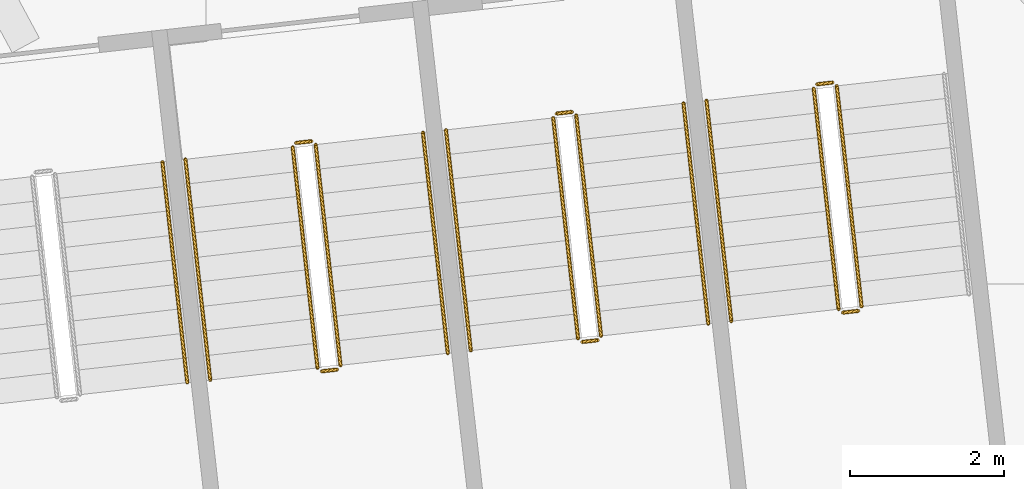
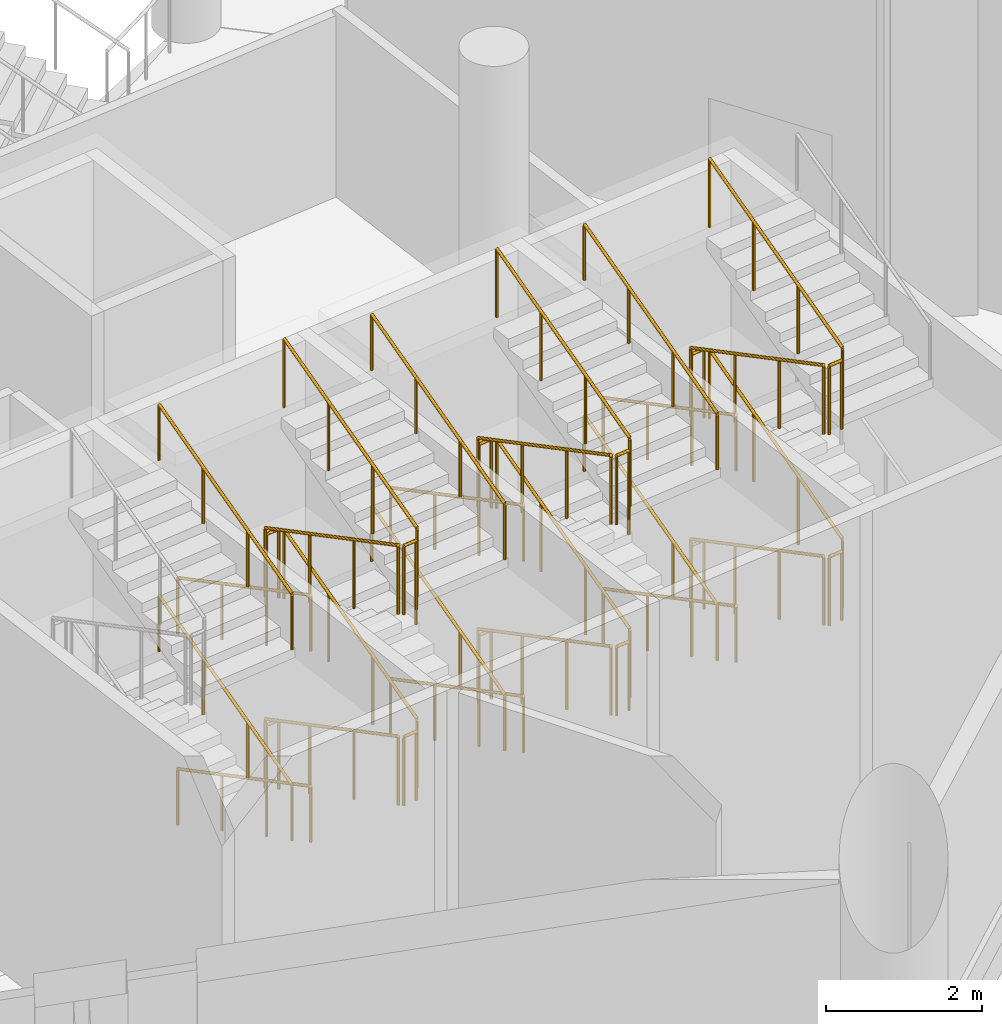
# One storey, part 130 of 173: 36 railings.
"""IFC4 building model written with IfcOpenShell, lengths in metres."""

from ifc_helpers import new_model, si_unit, direction, frame, origin, origin_2d, place, context, subcontext, project, spatial, circle, extrude, material, type_object, element, save


model = new_model("IFC4")

# Units and contexts
model_context = context("Model", 3, precision=1e-05, world=origin(), true_north=direction((0.0, 1.0)))
body_context = subcontext(model_context, "Body", "Model", "MODEL_VIEW")
ifc_project = project(units=[si_unit("LENGTHUNIT", "METRE"), si_unit("AREAUNIT", "SQUARE_METRE"), si_unit("VOLUMEUNIT", "CUBIC_METRE"), si_unit("PLANEANGLEUNIT", "RADIAN"), si_unit("MASSUNIT", "GRAM", prefix="KILO")], contexts=[model_context])

# Site, building, storey
site_placement = place(None, origin())
site = spatial("IfcSite", under=ifc_project, at=site_placement, CompositionType="ELEMENT")
building_placement = place(site_placement, origin())
building = spatial("IfcBuilding", under=site, at=building_placement, Name="Meseta Stadium", CompositionType="ELEMENT")
storey_placement = place(building_placement, frame((0.0, 0.0, 18.0)))
storey = spatial("IfcBuildingStorey", under=building, at=storey_placement, Name="L03", CompositionType="ELEMENT", Elevation=18.0)

# Railings
ifc_material_1 = material(Name="Steel S355", Category="steel")
railing_type_1 = type_object("IfcRailingType", Name="Stair guard 1100", PredefinedType="GUARDRAIL", material=ifc_material_1)
railing_1_placement = place(storey_placement, frame((49.12158203125, -94.228515625, 0.14990234375)))
element("IfcRailing", 1, at=railing_1_placement, inside=storey, type_object=railing_type_1, Name="ST102 L03 guard 1", PredefinedType="GUARDRAIL", context=body_context, shape_type="SweptSolid", body=[
    extrude(circle(Radius=0.02392578125, at=origin_2d()), frame((0.0, 0.0, 1.076171875), z_axis=(0.101389259755, -0.899762522411, 0.424438006392), x_axis=(0.993710935447, 0.11197578655, 0.0)), (0.0, 0.0, 1.0), 3.180908203125),
    extrude(circle(Radius=0.02099609375, at=origin_2d()), origin(), (0.0, 0.0, 1.0), 1.052001953125),
    extrude(circle(Radius=0.02099609375, at=origin_2d()), frame((0.107421875, -0.9541015625, 0.449951171875)), (0.0, 0.0, 1.0), 1.052001953125),
    extrude(circle(Radius=0.02099609375, at=origin_2d()), frame((0.215087890625, -1.907958984375, 0.900146484375)), (0.0, 0.0, 1.0), 1.052001953125),
    extrude(circle(Radius=0.02099609375, at=origin_2d()), frame((0.322509765625, -2.862060546875, 1.35009765625)), (0.0, 0.0, 1.0), 1.052001953125),
])
railing_2_placement = place(storey_placement, frame((49.49951171875, -97.134521484375, 1.5)))
element("IfcRailing", 2, at=railing_2_placement, inside=storey, type_object=railing_type_1, Name="ST102 L03 guard 2", PredefinedType="GUARDRAIL", context=body_context, shape_type="SweptSolid", body=[
    extrude(circle(Radius=0.02392578125, at=origin_2d()), frame((0.0, 0.0, 1.076171875), z_axis=(0.993673547442, 0.112307083986, 0.0), x_axis=(-0.112307083986, 0.993673547442, 0.0)), (0.0, 0.0, 1.0), 0.199951171875),
    extrude(circle(Radius=0.02099609375, at=origin_2d()), origin(), (0.0, 0.0, 1.0), 1.052001953125),
    extrude(circle(Radius=0.02099609375, at=origin_2d()), frame((0.19873046875, 0.0224609375, 0.0)), (0.0, 0.0, 1.0), 1.052001953125),
])
railing_3_placement = place(storey_placement, frame((49.7421875, -97.056884765625, 1.64990234375)))
element("IfcRailing", 3, at=railing_3_placement, inside=storey, type_object=railing_type_1, Name="ST102 L03 guard 3", PredefinedType="GUARDRAIL", context=body_context, shape_type="SweptSolid", body=[
    extrude(circle(Radius=0.02392578125, at=origin_2d()), frame((0.0, 0.0, 1.076171875), z_axis=(-0.10139626197, 0.899747905232, 0.424467319223), x_axis=(-0.993709872468, -0.111985219376, 0.0)), (0.0, 0.0, 1.0), 3.1806640625),
    extrude(circle(Radius=0.02099609375, at=origin_2d()), origin(), (0.0, 0.0, 1.0), 1.052001953125),
    extrude(circle(Radius=0.02099609375, at=origin_2d()), frame((-0.107421875, 0.953857421875, 0.449951171875)), (0.0, 0.0, 1.0), 1.052001953125),
    extrude(circle(Radius=0.02099609375, at=origin_2d()), frame((-0.215087890625, 1.907958984375, 0.900146484375)), (0.0, 0.0, 1.0), 1.052001953125),
    extrude(circle(Radius=0.02099609375, at=origin_2d()), frame((-0.322509765625, 2.86181640625, 1.35009765625)), (0.0, 0.0, 1.0), 1.052001953125),
])
railing_4_placement = place(storey_placement, frame((49.165771484375, -94.17333984375, 3.0)))
element("IfcRailing", 4, at=railing_4_placement, inside=storey, type_object=railing_type_1, Name="ST102 L03 guard 4", PredefinedType="GUARDRAIL", context=body_context, shape_type="SweptSolid", body=[
    extrude(circle(Radius=0.02392578125, at=origin_2d()), frame((0.0, 0.0, 1.076171875), z_axis=(0.993673547442, 0.112307083986, 0.0), x_axis=(-0.112307083986, 0.993673547442, 0.0)), (0.0, 0.0, 1.0), 0.199951171875),
    extrude(circle(Radius=0.02099609375, at=origin_2d()), origin(), (0.0, 0.0, 1.0), 1.052001953125),
    extrude(circle(Radius=0.02099609375, at=origin_2d()), frame((0.19873046875, 0.0224609375, 0.0)), (0.0, 0.0, 1.0), 1.052001953125),
])
railing_5_placement = place(storey_placement, frame((49.12158203125, -94.228515625, 3.14990234375)))
element("IfcRailing", 5, at=railing_5_placement, inside=storey, type_object=railing_type_1, Name="ST102 L03 guard 5", PredefinedType="GUARDRAIL", context=body_context, shape_type="SweptSolid", body=[
    extrude(circle(Radius=0.02392578125, at=origin_2d()), frame((0.0, 0.0, 1.076171875), z_axis=(0.101389259755, -0.899762522411, 0.424438006392), x_axis=(0.993710935447, 0.11197578655, 0.0)), (0.0, 0.0, 1.0), 3.180908203125),
    extrude(circle(Radius=0.02099609375, at=origin_2d()), origin(), (0.0, 0.0, 1.0), 1.052001953125),
    extrude(circle(Radius=0.02099609375, at=origin_2d()), frame((0.107421875, -0.9541015625, 0.449951171875)), (0.0, 0.0, 1.0), 1.052001953125),
    extrude(circle(Radius=0.02099609375, at=origin_2d()), frame((0.215087890625, -1.907958984375, 0.900146484375)), (0.0, 0.0, 1.0), 1.052001953125),
    extrude(circle(Radius=0.02099609375, at=origin_2d()), frame((0.322509765625, -2.862060546875, 1.35009765625)), (0.0, 0.0, 1.0), 1.052001953125),
])
railing_6_placement = place(storey_placement, frame((49.49951171875, -97.134521484375, 4.5)))
element("IfcRailing", 6, at=railing_6_placement, inside=storey, type_object=railing_type_1, Name="ST102 L03 guard 6", PredefinedType="GUARDRAIL", context=body_context, shape_type="SweptSolid", body=[
    extrude(circle(Radius=0.02392578125, at=origin_2d()), frame((0.0, 0.0, 1.076171875), z_axis=(0.993673547442, 0.112307083986, 0.0), x_axis=(-0.112307083986, 0.993673547442, 0.0)), (0.0, 0.0, 1.0), 0.199951171875),
    extrude(circle(Radius=0.02099609375, at=origin_2d()), origin(), (0.0, 0.0, 1.0), 1.052001953125),
    extrude(circle(Radius=0.02099609375, at=origin_2d()), frame((0.19873046875, 0.0224609375, 0.0)), (0.0, 0.0, 1.0), 1.052001953125),
])
railing_7_placement = place(storey_placement, frame((49.7421875, -97.056884765625, 4.64990234375)))
element("IfcRailing", 7, at=railing_7_placement, inside=storey, type_object=railing_type_1, Name="ST102 L03 guard 7", PredefinedType="GUARDRAIL", context=body_context, shape_type="SweptSolid", body=[
    extrude(circle(Radius=0.02392578125, at=origin_2d()), frame((0.0, 0.0, 1.076171875), z_axis=(-0.10139626197, 0.899747905232, 0.424467319223), x_axis=(-0.993709872468, -0.111985219376, 0.0)), (0.0, 0.0, 1.0), 3.1806640625),
    extrude(circle(Radius=0.02099609375, at=origin_2d()), origin(), (0.0, 0.0, 1.0), 1.052001953125),
    extrude(circle(Radius=0.02099609375, at=origin_2d()), frame((-0.107421875, 0.953857421875, 0.449951171875)), (0.0, 0.0, 1.0), 1.052001953125),
    extrude(circle(Radius=0.02099609375, at=origin_2d()), frame((-0.215087890625, 1.907958984375, 0.900146484375)), (0.0, 0.0, 1.0), 1.052001953125),
    extrude(circle(Radius=0.02099609375, at=origin_2d()), frame((-0.322509765625, 2.86181640625, 1.35009765625)), (0.0, 0.0, 1.0), 1.052001953125),
])
railing_8_placement = place(storey_placement, frame((49.165771484375, -94.17333984375, 0.0)))
element("IfcRailing", 8, at=railing_8_placement, inside=storey, type_object=railing_type_1, Name="ST102 L03 guard 8", PredefinedType="GUARDRAIL", context=body_context, shape_type="SweptSolid", body=[
    extrude(circle(Radius=0.02392578125, at=origin_2d()), frame((0.0, 0.0, 1.076171875), z_axis=(0.993673547442, 0.112307083986, 0.0), x_axis=(-0.112307083986, 0.993673547442, 0.0)), (0.0, 0.0, 1.0), 0.199951171875),
    extrude(circle(Radius=0.02099609375, at=origin_2d()), origin(), (0.0, 0.0, 1.0), 1.052001953125),
    extrude(circle(Radius=0.02099609375, at=origin_2d()), frame((0.19873046875, 0.0224609375, 0.0)), (0.0, 0.0, 1.0), 1.052001953125),
])
railing_9_placement = place(storey_placement, frame((52.500244140625, -93.847900390625, 0.14990234375)))
element("IfcRailing", 9, at=railing_9_placement, inside=storey, type_object=railing_type_1, Name="ST103 L03 guard 1", PredefinedType="GUARDRAIL", context=body_context, shape_type="SweptSolid", body=[
    extrude(circle(Radius=0.02392578125, at=origin_2d()), frame((0.0, 0.0, 1.076171875), z_axis=(0.10139626197, -0.899747905232, 0.424467319223), x_axis=(0.993709872468, 0.111985219376, 0.0)), (0.0, 0.0, 1.0), 3.1806640625),
    extrude(circle(Radius=0.02099609375, at=origin_2d()), origin(), (0.0, 0.0, 1.0), 1.052001953125),
    extrude(circle(Radius=0.02099609375, at=origin_2d()), frame((0.107421875, -0.953857421875, 0.449951171875)), (0.0, 0.0, 1.0), 1.052001953125),
    extrude(circle(Radius=0.02099609375, at=origin_2d()), frame((0.215087890625, -1.907958984375, 0.900146484375)), (0.0, 0.0, 1.0), 1.052001953125),
    extrude(circle(Radius=0.02099609375, at=origin_2d()), frame((0.322509765625, -2.86181640625, 1.35009765625)), (0.0, 0.0, 1.0), 1.052001953125),
])
railing_10_placement = place(storey_placement, frame((52.8779296875, -96.75390625, 1.5)))
element("IfcRailing", 10, at=railing_10_placement, inside=storey, type_object=railing_type_1, Name="ST103 L03 guard 2", PredefinedType="GUARDRAIL", context=body_context, shape_type="SweptSolid", body=[
    extrude(circle(Radius=0.02392578125, at=origin_2d()), frame((0.0, 0.0, 1.076171875), z_axis=(0.993673547442, 0.112307083986, 0.0), x_axis=(-0.112307083986, 0.993673547442, 0.0)), (0.0, 0.0, 1.0), 0.199951171875),
    extrude(circle(Radius=0.02099609375, at=origin_2d()), origin(), (0.0, 0.0, 1.0), 1.052001953125),
    extrude(circle(Radius=0.02099609375, at=origin_2d()), frame((0.19873046875, 0.0224609375, 0.0)), (0.0, 0.0, 1.0), 1.052001953125),
])
railing_11_placement = place(storey_placement, frame((53.120849609375, -96.67626953125, 1.64990234375)))
element("IfcRailing", 11, at=railing_11_placement, inside=storey, type_object=railing_type_1, Name="ST103 L03 guard 3", PredefinedType="GUARDRAIL", context=body_context, shape_type="SweptSolid", body=[
    extrude(circle(Radius=0.02392578125, at=origin_2d()), frame((0.0, 0.0, 1.076171875), z_axis=(-0.101389259755, 0.899762522411, 0.424438006392), x_axis=(-0.993710935447, -0.11197578655, 0.0)), (0.0, 0.0, 1.0), 3.180908203125),
    extrude(circle(Radius=0.02099609375, at=origin_2d()), origin(), (0.0, 0.0, 1.0), 1.052001953125),
    extrude(circle(Radius=0.02099609375, at=origin_2d()), frame((-0.107421875, 0.9541015625, 0.449951171875)), (0.0, 0.0, 1.0), 1.052001953125),
    extrude(circle(Radius=0.02099609375, at=origin_2d()), frame((-0.215087890625, 1.907958984375, 0.900146484375)), (0.0, 0.0, 1.0), 1.052001953125),
    extrude(circle(Radius=0.02099609375, at=origin_2d()), frame((-0.322509765625, 2.862060546875, 1.35009765625)), (0.0, 0.0, 1.0), 1.052001953125),
])
railing_12_placement = place(storey_placement, frame((52.54443359375, -93.792724609375, 3.0)))
element("IfcRailing", 12, at=railing_12_placement, inside=storey, type_object=railing_type_1, Name="ST103 L03 guard 4", PredefinedType="GUARDRAIL", context=body_context, shape_type="SweptSolid", body=[
    extrude(circle(Radius=0.02392578125, at=origin_2d()), frame((0.0, 0.0, 1.076171875), z_axis=(0.993673547442, 0.112307083986, 0.0), x_axis=(-0.112307083986, 0.993673547442, 0.0)), (0.0, 0.0, 1.0), 0.199951171875),
    extrude(circle(Radius=0.02099609375, at=origin_2d()), origin(), (0.0, 0.0, 1.0), 1.052001953125),
    extrude(circle(Radius=0.02099609375, at=origin_2d()), frame((0.19873046875, 0.0224609375, 0.0)), (0.0, 0.0, 1.0), 1.052001953125),
])
railing_13_placement = place(storey_placement, frame((52.500244140625, -93.847900390625, 3.14990234375)))
element("IfcRailing", 13, at=railing_13_placement, inside=storey, type_object=railing_type_1, Name="ST103 L03 guard 5", PredefinedType="GUARDRAIL", context=body_context, shape_type="SweptSolid", body=[
    extrude(circle(Radius=0.02392578125, at=origin_2d()), frame((0.0, 0.0, 1.076171875), z_axis=(0.10139626197, -0.899747905232, 0.424467319223), x_axis=(0.993709872468, 0.111985219376, 0.0)), (0.0, 0.0, 1.0), 3.1806640625),
    extrude(circle(Radius=0.02099609375, at=origin_2d()), origin(), (0.0, 0.0, 1.0), 1.052001953125),
    extrude(circle(Radius=0.02099609375, at=origin_2d()), frame((0.107421875, -0.953857421875, 0.449951171875)), (0.0, 0.0, 1.0), 1.052001953125),
    extrude(circle(Radius=0.02099609375, at=origin_2d()), frame((0.215087890625, -1.907958984375, 0.900146484375)), (0.0, 0.0, 1.0), 1.052001953125),
    extrude(circle(Radius=0.02099609375, at=origin_2d()), frame((0.322509765625, -2.86181640625, 1.35009765625)), (0.0, 0.0, 1.0), 1.052001953125),
])
railing_14_placement = place(storey_placement, frame((52.8779296875, -96.75390625, 4.5)))
element("IfcRailing", 14, at=railing_14_placement, inside=storey, type_object=railing_type_1, Name="ST103 L03 guard 6", PredefinedType="GUARDRAIL", context=body_context, shape_type="SweptSolid", body=[
    extrude(circle(Radius=0.02392578125, at=origin_2d()), frame((0.0, 0.0, 1.076171875), z_axis=(0.993673547442, 0.112307083986, 0.0), x_axis=(-0.112307083986, 0.993673547442, 0.0)), (0.0, 0.0, 1.0), 0.199951171875),
    extrude(circle(Radius=0.02099609375, at=origin_2d()), origin(), (0.0, 0.0, 1.0), 1.052001953125),
    extrude(circle(Radius=0.02099609375, at=origin_2d()), frame((0.19873046875, 0.0224609375, 0.0)), (0.0, 0.0, 1.0), 1.052001953125),
])
railing_15_placement = place(storey_placement, frame((53.120849609375, -96.67626953125, 4.64990234375)))
element("IfcRailing", 15, at=railing_15_placement, inside=storey, type_object=railing_type_1, Name="ST103 L03 guard 7", PredefinedType="GUARDRAIL", context=body_context, shape_type="SweptSolid", body=[
    extrude(circle(Radius=0.02392578125, at=origin_2d()), frame((0.0, 0.0, 1.076171875), z_axis=(-0.101389259755, 0.899762522411, 0.424438006392), x_axis=(-0.993710935447, -0.11197578655, 0.0)), (0.0, 0.0, 1.0), 3.180908203125),
    extrude(circle(Radius=0.02099609375, at=origin_2d()), origin(), (0.0, 0.0, 1.0), 1.052001953125),
    extrude(circle(Radius=0.02099609375, at=origin_2d()), frame((-0.107421875, 0.9541015625, 0.449951171875)), (0.0, 0.0, 1.0), 1.052001953125),
    extrude(circle(Radius=0.02099609375, at=origin_2d()), frame((-0.215087890625, 1.907958984375, 0.900146484375)), (0.0, 0.0, 1.0), 1.052001953125),
    extrude(circle(Radius=0.02099609375, at=origin_2d()), frame((-0.322509765625, 2.862060546875, 1.35009765625)), (0.0, 0.0, 1.0), 1.052001953125),
])
railing_16_placement = place(storey_placement, frame((52.54443359375, -93.792724609375, 0.0)))
element("IfcRailing", 16, at=railing_16_placement, inside=storey, type_object=railing_type_1, Name="ST103 L03 guard 8", PredefinedType="GUARDRAIL", context=body_context, shape_type="SweptSolid", body=[
    extrude(circle(Radius=0.02392578125, at=origin_2d()), frame((0.0, 0.0, 1.076171875), z_axis=(0.993673547442, 0.112307083986, 0.0), x_axis=(-0.112307083986, 0.993673547442, 0.0)), (0.0, 0.0, 1.0), 0.199951171875),
    extrude(circle(Radius=0.02099609375, at=origin_2d()), origin(), (0.0, 0.0, 1.0), 1.052001953125),
    extrude(circle(Radius=0.02099609375, at=origin_2d()), frame((0.19873046875, 0.0224609375, 0.0)), (0.0, 0.0, 1.0), 1.052001953125),
])
railing_17_placement = place(storey_placement, frame((55.87890625, -93.46728515625, 0.14990234375)))
element("IfcRailing", 17, at=railing_17_placement, inside=storey, type_object=railing_type_1, Name="ST104 L03 guard 1", PredefinedType="GUARDRAIL", context=body_context, shape_type="SweptSolid", body=[
    extrude(circle(Radius=0.02392578125, at=origin_2d()), frame((0.0, 0.0, 1.076171875), z_axis=(0.10139626197, -0.899747905232, 0.424467319223), x_axis=(0.993709872468, 0.111985219376, 0.0)), (0.0, 0.0, 1.0), 3.1806640625),
    extrude(circle(Radius=0.02099609375, at=origin_2d()), origin(), (0.0, 0.0, 1.0), 1.052001953125),
    extrude(circle(Radius=0.02099609375, at=origin_2d()), frame((0.107421875, -0.953857421875, 0.449951171875)), (0.0, 0.0, 1.0), 1.052001953125),
    extrude(circle(Radius=0.02099609375, at=origin_2d()), frame((0.215087890625, -1.907958984375, 0.900146484375)), (0.0, 0.0, 1.0), 1.052001953125),
    extrude(circle(Radius=0.02099609375, at=origin_2d()), frame((0.322509765625, -2.86181640625, 1.35009765625)), (0.0, 0.0, 1.0), 1.052001953125),
])
railing_18_placement = place(storey_placement, frame((56.256591796875, -96.373291015625, 1.5)))
element("IfcRailing", 18, at=railing_18_placement, inside=storey, type_object=railing_type_1, Name="ST104 L03 guard 2", PredefinedType="GUARDRAIL", context=body_context, shape_type="SweptSolid", body=[
    extrude(circle(Radius=0.02392578125, at=origin_2d()), frame((0.0, 0.0, 1.076171875), z_axis=(0.993673547442, 0.112307083986, 0.0), x_axis=(-0.112307083986, 0.993673547442, 0.0)), (0.0, 0.0, 1.0), 0.199951171875),
    extrude(circle(Radius=0.02099609375, at=origin_2d()), origin(), (0.0, 0.0, 1.0), 1.052001953125),
    extrude(circle(Radius=0.02099609375, at=origin_2d()), frame((0.19873046875, 0.0224609375, 0.0)), (0.0, 0.0, 1.0), 1.052001953125),
])
railing_19_placement = place(storey_placement, frame((56.49951171875, -96.29541015625, 1.64990234375)))
element("IfcRailing", 19, at=railing_19_placement, inside=storey, type_object=railing_type_1, Name="ST104 L03 guard 3", PredefinedType="GUARDRAIL", context=body_context, shape_type="SweptSolid", body=[
    extrude(circle(Radius=0.02392578125, at=origin_2d()), frame((0.0, 0.0, 1.076171875), z_axis=(-0.10139626197, 0.899747905232, 0.424467319223), x_axis=(-0.993709872468, -0.111985219376, 0.0)), (0.0, 0.0, 1.0), 3.1806640625),
    extrude(circle(Radius=0.02099609375, at=origin_2d()), origin(), (0.0, 0.0, 1.0), 1.052001953125),
    extrude(circle(Radius=0.02099609375, at=origin_2d()), frame((-0.107421875, 0.953857421875, 0.449951171875)), (0.0, 0.0, 1.0), 1.052001953125),
    extrude(circle(Radius=0.02099609375, at=origin_2d()), frame((-0.215087890625, 1.907958984375, 0.900146484375)), (0.0, 0.0, 1.0), 1.052001953125),
    extrude(circle(Radius=0.02099609375, at=origin_2d()), frame((-0.322509765625, 2.86181640625, 1.35009765625)), (0.0, 0.0, 1.0), 1.052001953125),
])
railing_20_placement = place(storey_placement, frame((55.923095703125, -93.411865234375, 3.0)))
element("IfcRailing", 20, at=railing_20_placement, inside=storey, type_object=railing_type_1, Name="ST104 L03 guard 4", PredefinedType="GUARDRAIL", context=body_context, shape_type="SweptSolid", body=[
    extrude(circle(Radius=0.02392578125, at=origin_2d()), frame((0.0, 0.0, 1.076171875), z_axis=(0.993809063983, 0.111101504696, 0.0), x_axis=(-0.111101504696, 0.993809063983, 0.0)), (0.0, 0.0, 1.0), 0.199951171875),
    extrude(circle(Radius=0.02099609375, at=origin_2d()), origin(), (0.0, 0.0, 1.0), 1.052001953125),
    extrude(circle(Radius=0.02099609375, at=origin_2d()), frame((0.19873046875, 0.022216796875, 0.0)), (0.0, 0.0, 1.0), 1.052001953125),
])
railing_21_placement = place(storey_placement, frame((55.87890625, -93.46728515625, 3.14990234375)))
element("IfcRailing", 21, at=railing_21_placement, inside=storey, type_object=railing_type_1, Name="ST104 L03 guard 5", PredefinedType="GUARDRAIL", context=body_context, shape_type="SweptSolid", body=[
    extrude(circle(Radius=0.02392578125, at=origin_2d()), frame((0.0, 0.0, 1.076171875), z_axis=(0.10139626197, -0.899747905232, 0.424467319223), x_axis=(0.993709872468, 0.111985219376, 0.0)), (0.0, 0.0, 1.0), 3.1806640625),
    extrude(circle(Radius=0.02099609375, at=origin_2d()), origin(), (0.0, 0.0, 1.0), 1.052001953125),
    extrude(circle(Radius=0.02099609375, at=origin_2d()), frame((0.107421875, -0.953857421875, 0.449951171875)), (0.0, 0.0, 1.0), 1.052001953125),
    extrude(circle(Radius=0.02099609375, at=origin_2d()), frame((0.215087890625, -1.907958984375, 0.900146484375)), (0.0, 0.0, 1.0), 1.052001953125),
    extrude(circle(Radius=0.02099609375, at=origin_2d()), frame((0.322509765625, -2.86181640625, 1.35009765625)), (0.0, 0.0, 1.0), 1.052001953125),
])
railing_22_placement = place(storey_placement, frame((56.256591796875, -96.373291015625, 4.5)))
element("IfcRailing", 22, at=railing_22_placement, inside=storey, type_object=railing_type_1, Name="ST104 L03 guard 6", PredefinedType="GUARDRAIL", context=body_context, shape_type="SweptSolid", body=[
    extrude(circle(Radius=0.02392578125, at=origin_2d()), frame((0.0, 0.0, 1.076171875), z_axis=(0.993673547442, 0.112307083986, 0.0), x_axis=(-0.112307083986, 0.993673547442, 0.0)), (0.0, 0.0, 1.0), 0.199951171875),
    extrude(circle(Radius=0.02099609375, at=origin_2d()), origin(), (0.0, 0.0, 1.0), 1.052001953125),
    extrude(circle(Radius=0.02099609375, at=origin_2d()), frame((0.19873046875, 0.0224609375, 0.0)), (0.0, 0.0, 1.0), 1.052001953125),
])
railing_23_placement = place(storey_placement, frame((56.49951171875, -96.29541015625, 4.64990234375)))
element("IfcRailing", 23, at=railing_23_placement, inside=storey, type_object=railing_type_1, Name="ST104 L03 guard 7", PredefinedType="GUARDRAIL", context=body_context, shape_type="SweptSolid", body=[
    extrude(circle(Radius=0.02392578125, at=origin_2d()), frame((0.0, 0.0, 1.076171875), z_axis=(-0.10139626197, 0.899747905232, 0.424467319223), x_axis=(-0.993709872468, -0.111985219376, 0.0)), (0.0, 0.0, 1.0), 3.1806640625),
    extrude(circle(Radius=0.02099609375, at=origin_2d()), origin(), (0.0, 0.0, 1.0), 1.052001953125),
    extrude(circle(Radius=0.02099609375, at=origin_2d()), frame((-0.107421875, 0.953857421875, 0.449951171875)), (0.0, 0.0, 1.0), 1.052001953125),
    extrude(circle(Radius=0.02099609375, at=origin_2d()), frame((-0.215087890625, 1.907958984375, 0.900146484375)), (0.0, 0.0, 1.0), 1.052001953125),
    extrude(circle(Radius=0.02099609375, at=origin_2d()), frame((-0.322509765625, 2.86181640625, 1.35009765625)), (0.0, 0.0, 1.0), 1.052001953125),
])
railing_24_placement = place(storey_placement, frame((55.923095703125, -93.411865234375, 0.0)))
element("IfcRailing", 24, at=railing_24_placement, inside=storey, type_object=railing_type_1, Name="ST104 L03 guard 8", PredefinedType="GUARDRAIL", context=body_context, shape_type="SweptSolid", body=[
    extrude(circle(Radius=0.02392578125, at=origin_2d()), frame((0.0, 0.0, 1.076171875), z_axis=(0.993809063983, 0.111101504696, 0.0), x_axis=(-0.111101504696, 0.993809063983, 0.0)), (0.0, 0.0, 1.0), 0.199951171875),
    extrude(circle(Radius=0.02099609375, at=origin_2d()), origin(), (0.0, 0.0, 1.0), 1.052001953125),
    extrude(circle(Radius=0.02099609375, at=origin_2d()), frame((0.19873046875, 0.022216796875, 0.0)), (0.0, 0.0, 1.0), 1.052001953125),
])
ifc_material_2 = material(Name="Steel S355", Category="steel")
railing_type_2 = type_object("IfcRailingType", Name="Stair handrail 900", PredefinedType="HANDRAIL", material=ifc_material_2)
for number, where, name in (
    (25, (47.7548828125, -97.28076171875, 1.64990234375), "ST101 L03 handrail 2"),
    (26, (47.7548828125, -97.28076171875, 4.64990234375), "ST101 L03 handrail 4"),
):
    element("IfcRailing", number, at=place(storey_placement, frame(where)), inside=storey, type_object=railing_type_2, Name=name, PredefinedType="HANDRAIL", context=body_context, shape_type="SweptSolid", body=[
        extrude(circle(Radius=0.02392578125, at=origin_2d()), frame((0.0, 0.0, 0.8759765625), z_axis=(-0.10139626197, 0.899747905232, 0.424467319223), x_axis=(-0.993709872468, -0.111985219376, 0.0)), (0.0, 0.0, 1.0), 3.1806640625),
        extrude(circle(Radius=0.02099609375, at=origin_2d()), origin(), (0.0, 0.0, 1.0), 0.851806640625),
        extrude(circle(Radius=0.02099609375, at=origin_2d()), frame((-0.107421875, 0.953857421875, 0.449951171875)), (0.0, 0.0, 1.0), 0.851806640625),
        extrude(circle(Radius=0.02099609375, at=origin_2d()), frame((-0.215087890625, 1.907958984375, 0.900146484375)), (0.0, 0.0, 1.0), 0.851806640625),
        extrude(circle(Radius=0.02099609375, at=origin_2d()), frame((-0.322509765625, 2.86181640625, 1.35009765625)), (0.0, 0.0, 1.0), 0.851806640625),
    ])
railing_25_placement = place(storey_placement, frame((47.73046875, -94.38525390625, 0.14990234375)))
element("IfcRailing", 27, at=railing_25_placement, inside=storey, type_object=railing_type_2, Name="ST102 L03 handrail 1", PredefinedType="HANDRAIL", context=body_context, shape_type="SweptSolid", body=[
    extrude(circle(Radius=0.02392578125, at=origin_2d()), frame((0.0, 0.0, 0.8759765625), z_axis=(0.101389259755, -0.899762522411, 0.424438006392), x_axis=(0.993710935447, 0.11197578655, 0.0)), (0.0, 0.0, 1.0), 3.180908203125),
    extrude(circle(Radius=0.02099609375, at=origin_2d()), origin(), (0.0, 0.0, 1.0), 0.851806640625),
    extrude(circle(Radius=0.02099609375, at=origin_2d()), frame((0.107421875, -0.9541015625, 0.449951171875)), (0.0, 0.0, 1.0), 0.851806640625),
    extrude(circle(Radius=0.02099609375, at=origin_2d()), frame((0.215087890625, -1.907958984375, 0.900146484375)), (0.0, 0.0, 1.0), 0.851806640625),
    extrude(circle(Radius=0.02099609375, at=origin_2d()), frame((0.322509765625, -2.862060546875, 1.35009765625)), (0.0, 0.0, 1.0), 0.851806640625),
])
railing_26_placement = place(storey_placement, frame((51.133544921875, -96.900146484375, 1.64990234375)))
element("IfcRailing", 28, at=railing_26_placement, inside=storey, type_object=railing_type_2, Name="ST102 L03 handrail 2", PredefinedType="HANDRAIL", context=body_context, shape_type="SweptSolid", body=[
    extrude(circle(Radius=0.02392578125, at=origin_2d()), frame((0.0, 0.0, 0.8759765625), z_axis=(-0.10139626197, 0.899747905232, 0.424467319223), x_axis=(-0.993709872468, -0.111985219376, 0.0)), (0.0, 0.0, 1.0), 3.1806640625),
    extrude(circle(Radius=0.02099609375, at=origin_2d()), origin(), (0.0, 0.0, 1.0), 0.851806640625),
    extrude(circle(Radius=0.02099609375, at=origin_2d()), frame((-0.107421875, 0.953857421875, 0.449951171875)), (0.0, 0.0, 1.0), 0.851806640625),
    extrude(circle(Radius=0.02099609375, at=origin_2d()), frame((-0.215087890625, 1.907958984375, 0.900146484375)), (0.0, 0.0, 1.0), 0.851806640625),
    extrude(circle(Radius=0.02099609375, at=origin_2d()), frame((-0.322509765625, 2.86181640625, 1.35009765625)), (0.0, 0.0, 1.0), 0.851806640625),
])
railing_27_placement = place(storey_placement, frame((47.73046875, -94.38525390625, 3.14990234375)))
element("IfcRailing", 29, at=railing_27_placement, inside=storey, type_object=railing_type_2, Name="ST102 L03 handrail 3", PredefinedType="HANDRAIL", context=body_context, shape_type="SweptSolid", body=[
    extrude(circle(Radius=0.02392578125, at=origin_2d()), frame((0.0, 0.0, 0.8759765625), z_axis=(0.101389259755, -0.899762522411, 0.424438006392), x_axis=(0.993710935447, 0.11197578655, 0.0)), (0.0, 0.0, 1.0), 3.180908203125),
    extrude(circle(Radius=0.02099609375, at=origin_2d()), origin(), (0.0, 0.0, 1.0), 0.851806640625),
    extrude(circle(Radius=0.02099609375, at=origin_2d()), frame((0.107421875, -0.9541015625, 0.449951171875)), (0.0, 0.0, 1.0), 0.851806640625),
    extrude(circle(Radius=0.02099609375, at=origin_2d()), frame((0.215087890625, -1.907958984375, 0.900146484375)), (0.0, 0.0, 1.0), 0.851806640625),
    extrude(circle(Radius=0.02099609375, at=origin_2d()), frame((0.322509765625, -2.862060546875, 1.35009765625)), (0.0, 0.0, 1.0), 0.851806640625),
])
railing_28_placement = place(storey_placement, frame((51.133544921875, -96.900146484375, 4.64990234375)))
element("IfcRailing", 30, at=railing_28_placement, inside=storey, type_object=railing_type_2, Name="ST102 L03 handrail 4", PredefinedType="HANDRAIL", context=body_context, shape_type="SweptSolid", body=[
    extrude(circle(Radius=0.02392578125, at=origin_2d()), frame((0.0, 0.0, 0.8759765625), z_axis=(-0.10139626197, 0.899747905232, 0.424467319223), x_axis=(-0.993709872468, -0.111985219376, 0.0)), (0.0, 0.0, 1.0), 3.1806640625),
    extrude(circle(Radius=0.02099609375, at=origin_2d()), origin(), (0.0, 0.0, 1.0), 0.851806640625),
    extrude(circle(Radius=0.02099609375, at=origin_2d()), frame((-0.107421875, 0.953857421875, 0.449951171875)), (0.0, 0.0, 1.0), 0.851806640625),
    extrude(circle(Radius=0.02099609375, at=origin_2d()), frame((-0.215087890625, 1.907958984375, 0.900146484375)), (0.0, 0.0, 1.0), 0.851806640625),
    extrude(circle(Radius=0.02099609375, at=origin_2d()), frame((-0.322509765625, 2.86181640625, 1.35009765625)), (0.0, 0.0, 1.0), 0.851806640625),
])
railing_29_placement = place(storey_placement, frame((51.109130859375, -94.004638671875, 0.14990234375)))
element("IfcRailing", 31, at=railing_29_placement, inside=storey, type_object=railing_type_2, Name="ST103 L03 handrail 1", PredefinedType="HANDRAIL", context=body_context, shape_type="SweptSolid", body=[
    extrude(circle(Radius=0.02392578125, at=origin_2d()), frame((0.0, 0.0, 0.8759765625), z_axis=(0.10139626197, -0.899747905232, 0.424467319223), x_axis=(0.993709872468, 0.111985219376, 0.0)), (0.0, 0.0, 1.0), 3.1806640625),
    extrude(circle(Radius=0.02099609375, at=origin_2d()), origin(), (0.0, 0.0, 1.0), 0.851806640625),
    extrude(circle(Radius=0.02099609375, at=origin_2d()), frame((0.107421875, -0.953857421875, 0.449951171875)), (0.0, 0.0, 1.0), 0.851806640625),
    extrude(circle(Radius=0.02099609375, at=origin_2d()), frame((0.215087890625, -1.907958984375, 0.900146484375)), (0.0, 0.0, 1.0), 0.851806640625),
    extrude(circle(Radius=0.02099609375, at=origin_2d()), frame((0.322509765625, -2.86181640625, 1.35009765625)), (0.0, 0.0, 1.0), 0.851806640625),
])
railing_30_placement = place(storey_placement, frame((54.511962890625, -96.51953125, 1.64990234375)))
element("IfcRailing", 32, at=railing_30_placement, inside=storey, type_object=railing_type_2, Name="ST103 L03 handrail 2", PredefinedType="HANDRAIL", context=body_context, shape_type="SweptSolid", body=[
    extrude(circle(Radius=0.02392578125, at=origin_2d()), frame((0.0, 0.0, 0.8759765625), z_axis=(-0.101313295961, 0.899769521631, 0.42444130808), x_axis=(-0.993720364048, -0.111892082278, 0.0)), (0.0, 0.0, 1.0), 3.180908203125),
    extrude(circle(Radius=0.02099609375, at=origin_2d()), origin(), (0.0, 0.0, 1.0), 0.851806640625),
    extrude(circle(Radius=0.02099609375, at=origin_2d()), frame((-0.107421875, 0.9541015625, 0.449951171875)), (0.0, 0.0, 1.0), 0.851806640625),
    extrude(circle(Radius=0.02099609375, at=origin_2d()), frame((-0.21484375, 1.907958984375, 0.900146484375)), (0.0, 0.0, 1.0), 0.851806640625),
    extrude(circle(Radius=0.02099609375, at=origin_2d()), frame((-0.322265625, 2.862060546875, 1.35009765625)), (0.0, 0.0, 1.0), 0.851806640625),
])
railing_31_placement = place(storey_placement, frame((51.109130859375, -94.004638671875, 3.14990234375)))
element("IfcRailing", 33, at=railing_31_placement, inside=storey, type_object=railing_type_2, Name="ST103 L03 handrail 3", PredefinedType="HANDRAIL", context=body_context, shape_type="SweptSolid", body=[
    extrude(circle(Radius=0.02392578125, at=origin_2d()), frame((0.0, 0.0, 0.8759765625), z_axis=(0.10139626197, -0.899747905232, 0.424467319223), x_axis=(0.993709872468, 0.111985219376, 0.0)), (0.0, 0.0, 1.0), 3.1806640625),
    extrude(circle(Radius=0.02099609375, at=origin_2d()), origin(), (0.0, 0.0, 1.0), 0.851806640625),
    extrude(circle(Radius=0.02099609375, at=origin_2d()), frame((0.107421875, -0.953857421875, 0.449951171875)), (0.0, 0.0, 1.0), 0.851806640625),
    extrude(circle(Radius=0.02099609375, at=origin_2d()), frame((0.215087890625, -1.907958984375, 0.900146484375)), (0.0, 0.0, 1.0), 0.851806640625),
    extrude(circle(Radius=0.02099609375, at=origin_2d()), frame((0.322509765625, -2.86181640625, 1.35009765625)), (0.0, 0.0, 1.0), 0.851806640625),
])
railing_32_placement = place(storey_placement, frame((54.511962890625, -96.51953125, 4.64990234375)))
element("IfcRailing", 34, at=railing_32_placement, inside=storey, type_object=railing_type_2, Name="ST103 L03 handrail 4", PredefinedType="HANDRAIL", context=body_context, shape_type="SweptSolid", body=[
    extrude(circle(Radius=0.02392578125, at=origin_2d()), frame((0.0, 0.0, 0.8759765625), z_axis=(-0.101313295961, 0.899769521631, 0.42444130808), x_axis=(-0.993720364048, -0.111892082278, 0.0)), (0.0, 0.0, 1.0), 3.180908203125),
    extrude(circle(Radius=0.02099609375, at=origin_2d()), origin(), (0.0, 0.0, 1.0), 0.851806640625),
    extrude(circle(Radius=0.02099609375, at=origin_2d()), frame((-0.107421875, 0.9541015625, 0.449951171875)), (0.0, 0.0, 1.0), 0.851806640625),
    extrude(circle(Radius=0.02099609375, at=origin_2d()), frame((-0.21484375, 1.907958984375, 0.900146484375)), (0.0, 0.0, 1.0), 0.851806640625),
    extrude(circle(Radius=0.02099609375, at=origin_2d()), frame((-0.322265625, 2.862060546875, 1.35009765625)), (0.0, 0.0, 1.0), 0.851806640625),
])
for number, where, name in (
    (35, (54.48779296875, -93.6240234375, 0.14990234375), "ST104 L03 handrail 1"),
    (36, (54.48779296875, -93.6240234375, 3.14990234375), "ST104 L03 handrail 3"),
):
    element("IfcRailing", number, at=place(storey_placement, frame(where)), inside=storey, type_object=railing_type_2, Name=name, PredefinedType="HANDRAIL", context=body_context, shape_type="SweptSolid", body=[
        extrude(circle(Radius=0.02392578125, at=origin_2d()), frame((0.0, 0.0, 0.8759765625), z_axis=(0.101320293039, -0.899754905305, 0.424470621595), x_axis=(0.993719302648, 0.111901508232, 0.0)), (0.0, 0.0, 1.0), 3.1806640625),
        extrude(circle(Radius=0.02099609375, at=origin_2d()), origin(), (0.0, 0.0, 1.0), 0.851806640625),
        extrude(circle(Radius=0.02099609375, at=origin_2d()), frame((0.107421875, -0.953857421875, 0.449951171875)), (0.0, 0.0, 1.0), 0.851806640625),
        extrude(circle(Radius=0.02099609375, at=origin_2d()), frame((0.21484375, -1.907958984375, 0.900146484375)), (0.0, 0.0, 1.0), 0.851806640625),
        extrude(circle(Radius=0.02099609375, at=origin_2d()), frame((0.322265625, -2.86181640625, 1.35009765625)), (0.0, 0.0, 1.0), 0.851806640625),
    ])

save(model, "model.ifc")
